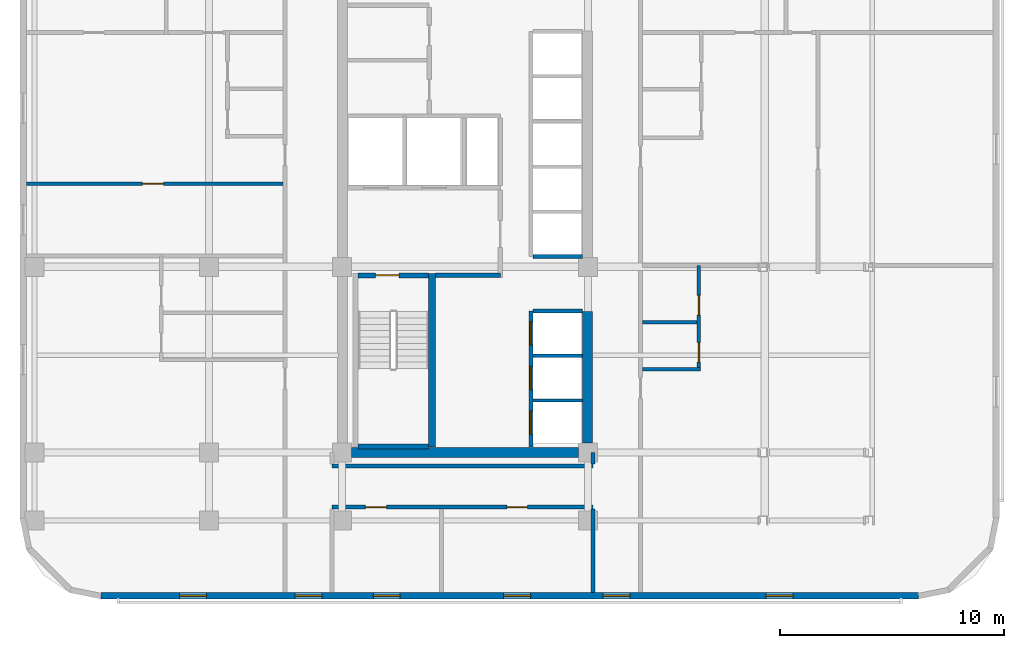
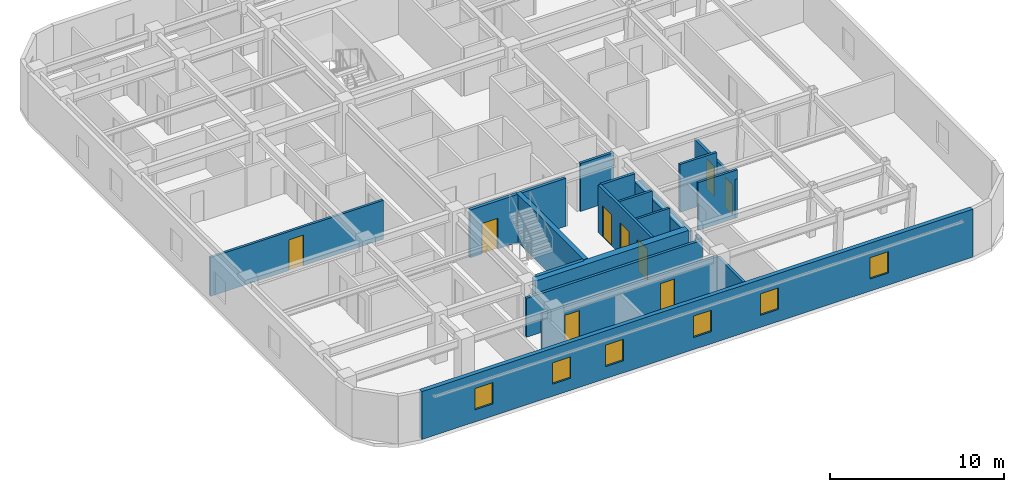
# One storey, part 3 of 11: 20 walls, 9 doors, 6 windows, 15 openings.
"""IFC4 building model written with IfcOpenShell, lengths in metres."""

import ifcopenshell
import ifcopenshell.guid

model = None  # the IFC model being written
_history = None  # IfcOwnerHistory: only IFC2X3 demands one
_inside = {}  # id of a spatial element -> (the spatial element, [elements in it])
_under = {}  # id of a project, library or spatial element -> (it, [spatial elements below it])
_declared = {}  # id of a project -> (the project, [libraries it declares])
_typed = {}  # id of a type object -> (the type object, [elements of that type])
_made_of = {}  # id of a material, layer set ... -> (it, [elements and type objects made of it])


def new_model(schema):
    """Start an empty IFC model of exactly this schema.

    Asked for "IFC4X3", IfcOpenShell would pick the latest addendum, in which some entities
    have other attributes; the version numbers below select the first issue.
    IFC2X3 requires an IfcOwnerHistory on every rooted entity: one is made here for all.
    """
    global model, _history
    if schema == "IFC4X3":
        model = ifcopenshell.file(schema_version=(4, 3, 0, 0))
    else:
        model = ifcopenshell.file(schema=schema)
    _inside.clear()
    _under.clear()
    _declared.clear()
    _typed.clear()
    _made_of.clear()
    _history = None
    if model.schema == "IFC2X3":
        org = make("IfcOrganization", Name="unknown")
        user = make(
            "IfcPersonAndOrganization",
            ThePerson=make("IfcPerson", FamilyName="unknown"),
            TheOrganization=org,
        )
        app = make(
            "IfcApplication",
            ApplicationDeveloper=org,
            Version="unknown",
            ApplicationFullName="unknown",
            ApplicationIdentifier="unknown",
        )
        _history = make(
            "IfcOwnerHistory",
            OwningUser=user,
            OwningApplication=app,
            ChangeAction="ADDED",
            CreationDate=0,
        )
    return model


def make(cls, **values):
    """One entity of the class cls with the attributes given. An attribute that is None is left unset."""
    return model.create_entity(
        cls, **{name: value for name, value in values.items() if value is not None}
    )


def rooted(cls, **values):
    """An entity with a GlobalId (a new one), such as an element, a storey or a relation."""
    return make(cls, GlobalId=ifcopenshell.guid.new(), OwnerHistory=_history, **values)


def si_unit(unit_type, name, prefix=None):
    """IfcSIUnit, for example si_unit("LENGTHUNIT", "METRE", prefix="MILLI")."""
    return make("IfcSIUnit", UnitType=unit_type, Prefix=prefix, Name=name)


def assignment(units):
    """IfcUnitAssignment: the units of a project."""
    return None if units is None else make("IfcUnitAssignment", Units=units)


def point(xyz):
    """IfcCartesianPoint."""
    return None if xyz is None else make("IfcCartesianPoint", Coordinates=xyz)


def direction(xyz):
    """IfcDirection."""
    return None if xyz is None else make("IfcDirection", DirectionRatios=xyz)


def frame(location, z_axis=None, x_axis=None):
    """IfcAxis2Placement3D, a coordinate frame: its origin and axes. An axis left out is left unset."""
    return make(
        "IfcAxis2Placement3D",
        Location=point(location),
        Axis=direction(z_axis),
        RefDirection=direction(x_axis),
    )


def frame_2d(location, x_axis=None):
    """IfcAxis2Placement2D, a coordinate frame in the plane: its origin and x axis."""
    return make(
        "IfcAxis2Placement2D", Location=point(location), RefDirection=direction(x_axis)
    )


def origin():
    """The frame at (0, 0, 0) with its axes left unset."""
    return frame((0.0, 0.0, 0.0))


def place(relative_to, where):
    """IfcLocalPlacement: puts the frame where relative to a parent placement (None: the world)."""
    return make(
        "IfcLocalPlacement", PlacementRelTo=relative_to, RelativePlacement=where
    )


def context(
    kind, dimensions, precision=None, world=None, true_north=None, identifier=None
):
    """IfcGeometricRepresentationContext, for example the 3D "Model" context."""
    return make(
        "IfcGeometricRepresentationContext",
        ContextIdentifier=identifier,
        ContextType=kind,
        CoordinateSpaceDimension=dimensions,
        Precision=precision,
        WorldCoordinateSystem=world,
        TrueNorth=true_north,
    )


def subcontext(parent, identifier, kind, view, scale=None):
    """IfcGeometricRepresentationSubContext, for example "Body" below "Model"."""
    return make(
        "IfcGeometricRepresentationSubContext",
        ContextIdentifier=identifier,
        ContextType=kind,
        ParentContext=parent,
        TargetScale=scale,
        TargetView=view,
    )


def project(units=None, contexts=None):
    """IfcProject with its units and contexts."""
    return rooted(
        "IfcProject",
        Name="project",
        RepresentationContexts=contexts,
        UnitsInContext=assignment(units),
    )


def spatial(cls, under=None, at=None, **own):
    """A site, building, storey or space (cls), placed at a placement, below another one or the project."""
    s = rooted(cls, ObjectPlacement=at, **own)
    if under is not None:
        _under.setdefault(under.id(), (under, []))[1].append(s)
    return s


def profile(cls, at=None, kind="AREA", **sizes):
    """A parametric profile (cls). Its sizes go by their IFC names, for example OverallWidth=200.0."""
    return make(cls, ProfileType=kind, Position=at, **sizes)


def rectangle(**sizes):
    """IfcRectangleProfileDef."""
    return profile("IfcRectangleProfileDef", **sizes)


def extrude(swept, where, along, depth):
    """IfcExtrudedAreaSolid: the profile swept, set in the frame where, extruded along a direction by depth."""
    return make(
        "IfcExtrudedAreaSolid",
        SweptArea=swept,
        Position=where,
        ExtrudedDirection=direction(along),
        Depth=depth,
    )


def shape(context_of_items, identifier, shape_type, items):
    """IfcShapeRepresentation: the items that make up one representation, for example the "Body"."""
    return make(
        "IfcShapeRepresentation",
        ContextOfItems=context_of_items,
        RepresentationIdentifier=identifier,
        RepresentationType=shape_type,
        Items=items,
    )


def material(Name=None, Category=None):
    """IfcMaterial."""
    return make("IfcMaterial", Name=Name, Category=Category)


def layer(
    of_material, thickness, ventilated=None, Name=None, Category=None, Priority=None
):
    """IfcMaterialLayer: one layer of a wall or slab, of a material (None: an air gap)."""
    return make(
        "IfcMaterialLayer",
        Material=of_material,
        LayerThickness=thickness,
        IsVentilated=ventilated,
        Name=Name,
        Category=Category,
        Priority=Priority,
    )


def layer_set(layers, Name=None):
    """IfcMaterialLayerSet."""
    return make("IfcMaterialLayerSet", MaterialLayers=layers, LayerSetName=Name)


def made_of(thing, what):
    """Note that an element or type object is made of a material, layer set ...; save() writes the relation."""
    if what is not None:
        _made_of.setdefault(what.id(), (what, []))[1].append(thing)
    return thing


def type_object(cls, material=None, **own):
    """A type object (cls), such as IfcWallType, which elements share."""
    return made_of(rooted(cls, **own), material)


def element(
    cls,
    number,
    at=None,
    inside=None,
    cuts=None,
    type_object=None,
    material=None,
    context=None,
    identifier="Body",
    shape_type=None,
    held_by="IfcProductDefinitionShape",
    body=None,
    shapes=None,
    **own,
):
    """One element of the class cls, such as IfcWall. Its Tag is "e" and its number.

    at: its placement. inside: the storey or other place that contains it. cuts: it is an
    opening in that element (IfcRelVoidsElement). A single representation is given by context,
    identifier, shape_type and body (its items); several are given by shapes. held_by: the class
    of the entity that holds the representations. save() writes the other relations.
    """
    e = rooted(cls, Tag="e%d" % number, ObjectPlacement=at, **own)
    if body is not None:
        shapes = [shape(context, identifier, shape_type, body)]
    if shapes is not None:
        e.Representation = make(held_by, Representations=shapes)
    if inside is not None:
        _inside.setdefault(inside.id(), (inside, []))[1].append(e)
    if cuts is not None:
        rooted(
            "IfcRelVoidsElement", RelatingBuildingElement=cuts, RelatedOpeningElement=e
        )
    if type_object is not None:
        _typed.setdefault(type_object.id(), (type_object, []))[1].append(e)
    return made_of(e, material)


def fill(opening, filler):
    """IfcRelFillsElement: the door or window that sits in an opening."""
    return rooted(
        "IfcRelFillsElement",
        RelatingOpeningElement=opening,
        RelatedBuildingElement=filler,
    )


def aggregate(whole, parts):
    """IfcRelAggregates: a whole, such as a stair, and the parts it consists of."""
    return rooted("IfcRelAggregates", RelatingObject=whole, RelatedObjects=parts)


def save(model, path):
    """Write the relations noted so far, then the file.

    IfcRelAggregates (storeys below a building ...), IfcRelContainedInSpatialStructure (elements
    in a storey), IfcRelDefinesByType, IfcRelAssociatesMaterial and IfcRelDeclares: one each for
    every whole, place, type object, material and project.
    """
    for whole, parts in _under.values():
        aggregate(whole, parts)
    for where, things in _inside.values():
        rooted(
            "IfcRelContainedInSpatialStructure",
            RelatedElements=things,
            RelatingStructure=where,
        )
    for kind, things in _typed.values():
        rooted("IfcRelDefinesByType", RelatedObjects=things, RelatingType=kind)
    for what, things in _made_of.values():
        rooted("IfcRelAssociatesMaterial", RelatedObjects=things, RelatingMaterial=what)
    for by, libraries in _declared.values():
        rooted("IfcRelDeclares", RelatingContext=by, RelatedDefinitions=libraries)
    model.write(path)


model = new_model("IFC4")

# Units and contexts
model_context = context("Model", 3, precision=1e-05, world=origin(), true_north=direction((0.0, 1.0)))
body_context = subcontext(model_context, "Body", "Model", "MODEL_VIEW")
ifc_project = project(units=[si_unit("LENGTHUNIT", "METRE"), si_unit("AREAUNIT", "SQUARE_METRE"), si_unit("VOLUMEUNIT", "CUBIC_METRE"), si_unit("PLANEANGLEUNIT", "RADIAN"), si_unit("MASSUNIT", "GRAM", prefix="KILO")], contexts=[model_context])

# Site, building, storey
site_placement = place(None, origin())
site = spatial("IfcSite", under=ifc_project, at=site_placement, CompositionType="ELEMENT")
building_placement = place(site_placement, origin())
building = spatial("IfcBuilding", under=site, at=building_placement, Name="Ochreholt Gables", CompositionType="ELEMENT")
storey_placement = place(building_placement, frame((0.0, 0.0, 87.60009765625)))
storey = spatial("IfcBuildingStorey", under=building, at=storey_placement, Name="L22", CompositionType="ELEMENT", Elevation=87.60009765625)

# Walls
ifc_material_1 = material(Name="Concrete 60 MPa", Category="concrete")
ifc_layer_1 = layer(ifc_material_1, 0.449951171875, Name="Concrete 60 MPa")
ifc_layer_set_1 = layer_set([ifc_layer_1], Name="Concrete 60 MPa")
wall_type_1 = type_object("IfcWallType", Name="WALL-CSW-450", PredefinedType="SHEAR", material=ifc_layer_set_1)
wall_1_placement = place(storey_placement, frame((35.175048828125, 9.675048828125, 0.0), z_axis=(0.0, 0.0, 1.0), x_axis=(0.0, 1.0, 0.0)))
element("IfcWall", 1, at=wall_1_placement, inside=storey, type_object=wall_type_1, Name="L22 Core South-East Shear Wall", PredefinedType="SHEAR", context=body_context, shape_type="SweptSolid", body=[
    extrude(rectangle(XDim=5.875, YDim=0.449951171875, at=frame_2d((2.9375, 0.0))), origin(), (0.0, 0.0, 1.0), 2.7490234375),
])
wall_2_placement = place(storey_placement, frame((24.625, 9.25, 0.0), z_axis=(0.0, 0.0, 1.0), x_axis=(1.0, 0.0, 0.0)))
element("IfcWall", 2, at=wall_2_placement, inside=storey, type_object=wall_type_1, Name="L22 Core South Shear Wall", PredefinedType="SHEAR", context=body_context, shape_type="SweptSolid", body=[
    extrude(rectangle(XDim=10.14990234375, YDim=0.449951171875, at=frame_2d((5.074951171875, 0.0))), origin(), (0.0, 0.0, 1.0), 3.35986328125),
])

# Wall, openings, windows
ifc_material_2 = material(Name="Precast concrete 40 MPa", Category="concrete")
ifc_layer_2 = layer(ifc_material_2, 0.280029296875, Name="Precast concrete 40 MPa")
ifc_layer_set_2 = layer_set([ifc_layer_2], Name="Precast concrete 40 MPa")
wall_type_2 = type_object("IfcWallType", Name="WALL-EXT-280", PredefinedType="SOLIDWALL", material=ifc_layer_set_2)
wall_3_placement = place(storey_placement, frame((13.419921875, 2.840087890625, 0.0), z_axis=(0.0, 0.0, 1.0), x_axis=(1.0, 0.0, 0.0)))
wall_3 = element("IfcWall", 3, at=wall_3_placement, inside=storey, type_object=wall_type_2, Name="L22 South Exterior Wall", PredefinedType="SOLIDWALL", context=body_context, shape_type="SweptSolid", body=[
    extrude(rectangle(XDim=36.56005859375, YDim=0.280029296875, at=frame_2d((18.280029296875, 0.0))), origin(), (0.0, 0.0, 1.0), 3.35986328125),
])
opening_1_placement = place(wall_3_placement, frame((3.514892578125, 0.0, 0.85009765625)))
opening_1 = element("IfcOpeningElement", 4, at=opening_1_placement, cuts=wall_3, Name="Opening WN-3", PredefinedType="OPENING", context=body_context, shape_type="SweptSolid", body=[
    extrude(rectangle(XDim=1.199951171875, YDim=1.5, at=frame_2d((0.60009765625, 0.75))), frame((0.0, 0.14990234375, 0.0), z_axis=(0.0, -1.0, 0.0), x_axis=(1.0, 0.0, 0.0)), (0.0, 0.0, 1.0), 0.300048828125),
])
opening_2_placement = place(wall_3_placement, frame((8.679931640625, 0.0, 0.85009765625)))
opening_2 = element("IfcOpeningElement", 5, at=opening_2_placement, cuts=wall_3, Name="Opening WN-3", PredefinedType="OPENING", context=body_context, shape_type="SweptSolid", body=[
    extrude(rectangle(XDim=1.199951171875, YDim=1.5, at=frame_2d((0.60009765625, 0.75))), frame((0.0, 0.14990234375, 0.0), z_axis=(0.0, -1.0, 0.0), x_axis=(1.0, 0.0, 0.0)), (0.0, 0.0, 1.0), 0.300048828125),
])
opening_3_placement = place(wall_3_placement, frame((12.1806640625, 0.0, 0.85009765625)))
opening_3 = element("IfcOpeningElement", 6, at=opening_3_placement, cuts=wall_3, Name="Opening WN-3", PredefinedType="OPENING", context=body_context, shape_type="SweptSolid", body=[
    extrude(rectangle(XDim=1.199951171875, YDim=1.5, at=frame_2d((0.60009765625, 0.75))), frame((0.0, 0.14990234375, 0.0), z_axis=(0.0, -1.0, 0.0), x_axis=(1.0, 0.0, 0.0)), (0.0, 0.0, 1.0), 0.300048828125),
])
opening_4_placement = place(wall_3_placement, frame((18.015625, 0.0, 0.85009765625)))
opening_4 = element("IfcOpeningElement", 7, at=opening_4_placement, cuts=wall_3, Name="Opening WN-3", PredefinedType="OPENING", context=body_context, shape_type="SweptSolid", body=[
    extrude(rectangle(XDim=1.199951171875, YDim=1.5, at=frame_2d((0.60009765625, 0.75))), frame((0.0, 0.14990234375, 0.0), z_axis=(0.0, -1.0, 0.0), x_axis=(1.0, 0.0, 0.0)), (0.0, 0.0, 1.0), 0.300048828125),
])
opening_5_placement = place(wall_3_placement, frame((22.465087890625, 0.0, 0.85009765625)))
opening_5 = element("IfcOpeningElement", 8, at=opening_5_placement, cuts=wall_3, Name="Opening WN-3", PredefinedType="OPENING", context=body_context, shape_type="SweptSolid", body=[
    extrude(rectangle(XDim=1.199951171875, YDim=1.5, at=frame_2d((0.60009765625, 0.75))), frame((0.0, 0.14990234375, 0.0), z_axis=(0.0, -1.0, 0.0), x_axis=(1.0, 0.0, 0.0)), (0.0, 0.0, 1.0), 0.300048828125),
])
opening_6_placement = place(wall_3_placement, frame((29.7451171875, 0.0, 0.85009765625)))
opening_6 = element("IfcOpeningElement", 9, at=opening_6_placement, cuts=wall_3, Name="Opening WN-3", PredefinedType="OPENING", context=body_context, shape_type="SweptSolid", body=[
    extrude(rectangle(XDim=1.199951171875, YDim=1.5, at=frame_2d((0.60009765625, 0.75))), frame((0.0, 0.14990234375, 0.0), z_axis=(0.0, -1.0, 0.0), x_axis=(1.0, 0.0, 0.0)), (0.0, 0.0, 1.0), 0.300048828125),
])
ifc_material_3 = material(Name="Triple-Glazed Thermally Broken Aluminium Window", Category="aluminium")
window_type = type_object("IfcWindowType", Name="WIN-RES-1200", PartitioningType="SINGLE_PANEL", PredefinedType="WINDOW", material=ifc_material_3)
window_1_placement = place(opening_1_placement, origin())
window_1 = element("IfcWindow", 10, at=window_1_placement, inside=storey, type_object=window_type, Name="L22 Window W-EXT-S-L22-1", OverallHeight=1.5, OverallWidth=1.199951171875, PartitioningType="SINGLE_PANEL", PredefinedType="WINDOW", context=body_context, shape_type="SweptSolid", body=[
    extrude(rectangle(XDim=1.199951171875, YDim=1.5, at=frame_2d((0.60009765625, 0.75))), frame((0.0, 0.030029296875, 0.0), z_axis=(0.0, -1.0, 0.0), x_axis=(1.0, 0.0, 0.0)), (0.0, 0.0, 1.0), 0.06005859375),
])
fill(opening_1, window_1)
window_2_placement = place(opening_2_placement, origin())
window_2 = element("IfcWindow", 11, at=window_2_placement, inside=storey, type_object=window_type, Name="L22 Window W-EXT-S-L22-2", OverallHeight=1.5, OverallWidth=1.199951171875, PartitioningType="SINGLE_PANEL", PredefinedType="WINDOW", context=body_context, shape_type="SweptSolid", body=[
    extrude(rectangle(XDim=1.199951171875, YDim=1.5, at=frame_2d((0.60009765625, 0.75))), frame((0.0, 0.030029296875, 0.0), z_axis=(0.0, -1.0, 0.0), x_axis=(1.0, 0.0, 0.0)), (0.0, 0.0, 1.0), 0.06005859375),
])
fill(opening_2, window_2)
window_3_placement = place(opening_3_placement, origin())
window_3 = element("IfcWindow", 12, at=window_3_placement, inside=storey, type_object=window_type, Name="L22 Window W-EXT-S-L22-3", OverallHeight=1.5, OverallWidth=1.199951171875, PartitioningType="SINGLE_PANEL", PredefinedType="WINDOW", context=body_context, shape_type="SweptSolid", body=[
    extrude(rectangle(XDim=1.199951171875, YDim=1.5, at=frame_2d((0.60009765625, 0.75))), frame((0.0, 0.030029296875, 0.0), z_axis=(0.0, -1.0, 0.0), x_axis=(1.0, 0.0, 0.0)), (0.0, 0.0, 1.0), 0.06005859375),
])
fill(opening_3, window_3)
window_4_placement = place(opening_4_placement, origin())
window_4 = element("IfcWindow", 13, at=window_4_placement, inside=storey, type_object=window_type, Name="L22 Window W-EXT-S-L22-4", OverallHeight=1.5, OverallWidth=1.199951171875, PartitioningType="SINGLE_PANEL", PredefinedType="WINDOW", context=body_context, shape_type="SweptSolid", body=[
    extrude(rectangle(XDim=1.199951171875, YDim=1.5, at=frame_2d((0.60009765625, 0.75))), frame((0.0, 0.030029296875, 0.0), z_axis=(0.0, -1.0, 0.0), x_axis=(1.0, 0.0, 0.0)), (0.0, 0.0, 1.0), 0.06005859375),
])
fill(opening_4, window_4)
window_5_placement = place(opening_5_placement, origin())
window_5 = element("IfcWindow", 14, at=window_5_placement, inside=storey, type_object=window_type, Name="L22 Window W-EXT-S-L22-5", OverallHeight=1.5, OverallWidth=1.199951171875, PartitioningType="SINGLE_PANEL", PredefinedType="WINDOW", context=body_context, shape_type="SweptSolid", body=[
    extrude(rectangle(XDim=1.199951171875, YDim=1.5, at=frame_2d((0.60009765625, 0.75))), frame((0.0, 0.030029296875, 0.0), z_axis=(0.0, -1.0, 0.0), x_axis=(1.0, 0.0, 0.0)), (0.0, 0.0, 1.0), 0.06005859375),
])
fill(opening_5, window_5)
window_6_placement = place(opening_6_placement, origin())
window_6 = element("IfcWindow", 15, at=window_6_placement, inside=storey, type_object=window_type, Name="L22 Window W-EXT-S-L22-6", OverallHeight=1.5, OverallWidth=1.199951171875, PartitioningType="SINGLE_PANEL", PredefinedType="WINDOW", context=body_context, shape_type="SweptSolid", body=[
    extrude(rectangle(XDim=1.199951171875, YDim=1.5, at=frame_2d((0.60009765625, 0.75))), frame((0.0, 0.030029296875, 0.0), z_axis=(0.0, -1.0, 0.0), x_axis=(1.0, 0.0, 0.0)), (0.0, 0.0, 1.0), 0.06005859375),
])
fill(opening_6, window_6)

# Wall
ifc_material_4 = material(Name="Concrete 40 MPa", Category="concrete")
ifc_layer_3 = layer(ifc_material_4, 0.199951171875, Name="Concrete 40 MPa")
ifc_layer_set_3 = layer_set([ifc_layer_3], Name="Concrete 40 MPa")
wall_type_3 = type_object("IfcWallType", Name="WALL-INT-CF200", PredefinedType="STANDARD", material=ifc_layer_set_3)
wall_4_placement = place(storey_placement, frame((28.3798828125, 17.169921875, 0.0), z_axis=(0.0, 0.0, 1.0), x_axis=(1.0, 0.0, 0.0)))
element("IfcWall", 16, at=wall_4_placement, inside=storey, type_object=wall_type_3, Name="L22 Interior Wall WI-FFS-L22", PredefinedType="STANDARD", context=body_context, shape_type="SweptSolid", body=[
    extrude(rectangle(XDim=2.900146484375, YDim=0.199951171875, at=frame_2d((1.4501953125, 0.0))), origin(), (0.0, 0.0, 1.0), 3.35986328125),
])

# Wall, openings, doors
ifc_material_5 = material(Name="Fire-Rated Gypsum Acoustic Partition", Category="gypsum")
ifc_layer_4 = layer(ifc_material_5, 0.179931640625, Name="Fire-Rated Gypsum Acoustic Partition")
ifc_layer_set_4 = layer_set([ifc_layer_4], Name="Fire-Rated Gypsum Acoustic Partition")
wall_type_4 = type_object("IfcWallType", Name="WALL-INT-CR180", PredefinedType="STANDARD", material=ifc_layer_set_4)
wall_5_placement = place(storey_placement, frame((23.75, 6.800048828125, 0.0), z_axis=(0.0, 0.0, 1.0), x_axis=(1.0, 0.0, 0.0)))
wall_5 = element("IfcWall", 17, at=wall_5_placement, inside=storey, type_object=wall_type_4, Name="L22 Interior Wall WI-C1S-L22", PredefinedType="STANDARD", context=body_context, shape_type="SweptSolid", body=[
    extrude(rectangle(XDim=11.669921875, YDim=0.179931640625, at=frame_2d((5.8349609375, 0.0))), origin(), (0.0, 0.0, 1.0), 2.73095703125),
])
opening_7_placement = place(wall_5_placement, frame((1.5, 0.0, 0.0)))
opening_7 = element("IfcOpeningElement", 18, at=opening_7_placement, cuts=wall_5, Name="Opening D-GN1", PredefinedType="OPENING", context=body_context, shape_type="SweptSolid", body=[
    extrude(rectangle(XDim=0.949951171875, YDim=2.14990234375, at=frame_2d((0.47509765625, 1.074951171875))), frame((0.0, 0.099853515625, 0.0), z_axis=(0.0, -1.0, 0.0), x_axis=(1.0, 0.0, 0.0)), (0.0, 0.0, 1.0), 0.199951171875),
])
opening_8_placement = place(wall_5_placement, frame((7.82568359375, 0.0, 0.0)))
opening_8 = element("IfcOpeningElement", 19, at=opening_8_placement, cuts=wall_5, Name="Opening D-UN1", PredefinedType="OPENING", context=body_context, shape_type="SweptSolid", body=[
    extrude(rectangle(XDim=0.919921875, YDim=2.14990234375, at=frame_2d((0.4599609375, 1.074951171875))), frame((0.0, 0.099853515625, 0.0), z_axis=(0.0, -1.0, 0.0), x_axis=(1.0, 0.0, 0.0)), (0.0, 0.0, 1.0), 0.199951171875),
])
ifc_material_6 = material(Name="Engineered Oak Timber", Category="wood")
door_type_1 = type_object("IfcDoorType", Name="DR-INT-GEN950", OperationType="NOTDEFINED", PredefinedType="DOOR", material=ifc_material_6)
door_1_placement = place(opening_7_placement, origin())
door_1 = element("IfcDoor", 20, at=door_1_placement, inside=storey, type_object=door_type_1, Name="L22 Door D-C1SS-L22", OperationType="SINGLE_SWING_LEFT", OverallHeight=2.14990234375, OverallWidth=0.949951171875, PredefinedType="DOOR", context=body_context, shape_type="SweptSolid", body=[
    extrude(rectangle(XDim=0.949951171875, YDim=2.14990234375, at=frame_2d((0.47509765625, 1.074951171875))), frame((0.0, 0.02490234375, 0.0), z_axis=(0.0, -1.0, 0.0), x_axis=(1.0, 0.0, 0.0)), (0.0, 0.0, 1.0), 0.050048828125),
])
fill(opening_7, door_1)
door_type_2 = type_object("IfcDoorType", Name="DR-INT-UNT920", OperationType="NOTDEFINED", PredefinedType="DOOR", material=ifc_material_6)
door_2_placement = place(opening_8_placement, origin())
door_2 = element("IfcDoor", 21, at=door_2_placement, inside=storey, type_object=door_type_2, Name="L22 Door D-U-L22S1-ENT", OperationType="SINGLE_SWING_LEFT", OverallHeight=2.14990234375, OverallWidth=0.919921875, PredefinedType="DOOR", context=body_context, shape_type="SweptSolid", body=[
    extrude(rectangle(XDim=0.919921875, YDim=2.14990234375, at=frame_2d((0.4599609375, 1.074951171875))), frame((0.0, 0.02490234375, 0.0), z_axis=(0.0, -1.0, 0.0), x_axis=(1.0, 0.0, 0.0)), (0.0, 0.0, 1.0), 0.050048828125),
])
fill(opening_8, door_2)

# Walls
wall_6_placement = place(storey_placement, frame((23.75, 8.64990234375, 0.0), z_axis=(0.0, 0.0, 1.0), x_axis=(1.0, 0.0, 0.0)))
element("IfcWall", 22, at=wall_6_placement, inside=storey, type_object=wall_type_4, Name="L22 Interior Wall WI-C1S2-L22", PredefinedType="STANDARD", context=body_context, shape_type="SweptSolid", body=[
    extrude(rectangle(XDim=11.669921875, YDim=0.179931640625, at=frame_2d((5.8349609375, 0.0))), origin(), (0.0, 0.0, 1.0), 2.73095703125),
])
wall_7_placement = place(storey_placement, frame((35.419921875, 8.739990234375, 0.0), z_axis=(0.0, 0.0, 1.0), x_axis=(0.0, 1.0, 0.0)))
element("IfcWall", 23, at=wall_7_placement, inside=storey, type_object=wall_type_4, Name="L22 Interior Wall WI-C1ESW2-L22", PredefinedType="STANDARD", context=body_context, shape_type="SweptSolid", body=[
    extrude(rectangle(XDim=0.510009765625, YDim=0.179931640625, at=frame_2d((0.2548828125, 0.0))), origin(), (0.0, 0.0, 1.0), 2.73095703125),
])
ifc_material_7 = material(Name="Double-Stud Acoustic Demising Wall", Category="gypsum")
ifc_layer_5 = layer(ifc_material_7, 0.179931640625, Name="Double-Stud Acoustic Demising Wall")
ifc_layer_set_5 = layer_set([ifc_layer_5], Name="Double-Stud Acoustic Demising Wall")
wall_type_5 = type_object("IfcWallType", Name="WALL-INT-DM180", PredefinedType="PARTITIONING", material=ifc_layer_set_5)
wall_8_placement = place(storey_placement, frame((35.419921875, 2.97998046875, 0.0), z_axis=(0.0, 0.0, 1.0), x_axis=(0.0, 1.0, 0.0)))
element("IfcWall", 24, at=wall_8_placement, inside=storey, type_object=wall_type_5, Name="L22 Interior Wall WI-C1ESW-L22", PredefinedType="PARTITIONING", context=body_context, shape_type="SweptSolid", body=[
    extrude(rectangle(XDim=3.72998046875, YDim=0.179931640625, at=frame_2d((1.864990234375, 0.0))), origin(), (0.0, 0.0, 1.0), 2.73095703125),
])
ifc_material_8 = material(Name="Moisture-Resistant Plumbing Chase Wall", Category="gypsum")
ifc_layer_6 = layer(ifc_material_8, 0.159912109375, Name="Moisture-Resistant Plumbing Chase Wall")
ifc_layer_set_6 = layer_set([ifc_layer_6], Name="Moisture-Resistant Plumbing Chase Wall")
wall_type_6 = type_object("IfcWallType", Name="WALL-INT-PL160", PredefinedType="PLUMBINGWALL", material=ifc_layer_set_6)
wall_9_placement = place(storey_placement, frame((37.639892578125, 12.969970703125, 0.0), z_axis=(0.0, 0.0, 1.0), x_axis=(1.0, 0.0, 0.0)))
element("IfcWall", 25, at=wall_9_placement, inside=storey, type_object=wall_type_6, Name="L22 Interior Wall WU-L22E1-WYS", PredefinedType="PLUMBINGWALL", context=body_context, shape_type="SweptSolid", body=[
    extrude(rectangle(XDim=2.606201171875, YDim=0.159912109375, at=frame_2d((1.30322265625, 0.0))), origin(), (0.0, 0.0, 1.0), 3.35986328125),
])

# Wall, openings, doors
wall_10_placement = place(storey_placement, frame((40.166015625, 12.8798828125, 0.0), z_axis=(0.0, 0.0, 1.0), x_axis=(0.0, 1.0, 0.0)))
wall_10 = element("IfcWall", 26, at=wall_10_placement, inside=storey, type_object=wall_type_6, Name="L22 Interior Wall WU-L22E1-WX", PredefinedType="PLUMBINGWALL", context=body_context, shape_type="SweptSolid", body=[
    extrude(rectangle(XDim=4.730224609375, YDim=0.159912109375, at=frame_2d((2.365234375, 0.0))), origin(), (0.0, 0.0, 1.0), 2.73095703125),
])
opening_9_placement = place(wall_10_placement, frame((0.419921875, 0.0, 0.0)))
opening_9 = element("IfcOpeningElement", 27, at=opening_9_placement, cuts=wall_10, Name="Opening D-BT1", PredefinedType="OPENING", context=body_context, shape_type="SweptSolid", body=[
    extrude(rectangle(XDim=0.860107421875, YDim=2.1201171875, at=frame_2d((0.43017578125, 1.06005859375))), frame((0.0, 0.08984375, 0.0), z_axis=(0.0, -1.0, 0.0), x_axis=(1.0, 0.0, 0.0)), (0.0, 0.0, 1.0), 0.179931640625),
])
opening_10_placement = place(wall_10_placement, frame((2.512939453125, 0.0, 0.0)))
opening_10 = element("IfcOpeningElement", 28, at=opening_10_placement, cuts=wall_10, Name="Opening D-GN2", PredefinedType="OPENING", context=body_context, shape_type="SweptSolid", body=[
    extrude(rectangle(XDim=0.8798828125, YDim=2.1201171875, at=frame_2d((0.43994140625, 1.06005859375))), frame((0.0, 0.08984375, 0.0), z_axis=(0.0, -1.0, 0.0), x_axis=(1.0, 0.0, 0.0)), (0.0, 0.0, 1.0), 0.179931640625),
])
door_type_3 = type_object("IfcDoorType", Name="DR-INT-BTH860", OperationType="NOTDEFINED", PredefinedType="DOOR", material=ifc_material_6)
door_3_placement = place(opening_9_placement, origin())
door_3 = element("IfcDoor", 29, at=door_3_placement, inside=storey, type_object=door_type_3, Name="L22 Door D-U-L22E1-BTH", OperationType="SINGLE_SWING_LEFT", OverallHeight=2.1201171875, OverallWidth=0.860107421875, PredefinedType="DOOR", context=body_context, shape_type="SweptSolid", body=[
    extrude(rectangle(XDim=0.860107421875, YDim=2.1201171875, at=frame_2d((0.43017578125, 1.06005859375))), frame((0.0, 0.02490234375, 0.0), z_axis=(0.0, -1.0, 0.0), x_axis=(1.0, 0.0, 0.0)), (0.0, 0.0, 1.0), 0.050048828125),
])
fill(opening_9, door_3)
door_type_4 = type_object("IfcDoorType", Name="DR-INT-GEN880", OperationType="NOTDEFINED", PredefinedType="DOOR", material=ifc_material_6)
door_4_placement = place(opening_10_placement, origin())
door_4 = element("IfcDoor", 30, at=door_4_placement, inside=storey, type_object=door_type_4, Name="L22 Door D-U-L22E1-KIT", OperationType="SINGLE_SWING_RIGHT", OverallHeight=2.1201171875, OverallWidth=0.8798828125, PredefinedType="DOOR", context=body_context, shape_type="SweptSolid", body=[
    extrude(rectangle(XDim=0.8798828125, YDim=2.1201171875, at=frame_2d((0.43994140625, 1.06005859375))), frame((0.0, 0.02490234375, 0.0), z_axis=(0.0, -1.0, 0.0), x_axis=(1.0, 0.0, 0.0)), (0.0, 0.0, 1.0), 0.050048828125),
])
fill(opening_10, door_4)

# Wall
wall_11_placement = place(storey_placement, frame((37.639892578125, 15.06298828125, 0.0), z_axis=(0.0, 0.0, 1.0), x_axis=(1.0, 0.0, 0.0)))
element("IfcWall", 31, at=wall_11_placement, inside=storey, type_object=wall_type_6, Name="L22 Interior Wall WU-L22E1-WM", PredefinedType="PLUMBINGWALL", context=body_context, shape_type="SweptSolid", body=[
    extrude(rectangle(XDim=2.446044921875, YDim=0.159912109375, at=frame_2d((1.22314453125, 0.0))), origin(), (0.0, 0.0, 1.0), 3.35986328125),
])

# Wall, opening, door
ifc_material_9 = material(Name="Gypsum Acoustic Stud Partition", Category="gypsum")
ifc_layer_7 = layer(ifc_material_9, 0.159912109375, Name="Gypsum Acoustic Stud Partition")
ifc_layer_set_7 = layer_set([ifc_layer_7], Name="Gypsum Acoustic Stud Partition")
wall_type_7 = type_object("IfcWallType", Name="WALL-INT-PT160", PredefinedType="PARTITIONING", material=ifc_layer_set_7)
wall_12_placement = place(storey_placement, frame((10.080078125, 21.261962890625, 0.0), z_axis=(0.0, 0.0, 1.0), x_axis=(1.0, 0.0, 0.0)))
wall_12 = element("IfcWall", 32, at=wall_12_placement, inside=storey, type_object=wall_type_7, Name="L22 Interior Wall WU-L22W2-DNW", PredefinedType="PARTITIONING", context=body_context, shape_type="SweptSolid", body=[
    extrude(rectangle(XDim=11.47998046875, YDim=0.159912109375, at=frame_2d((5.739990234375, 0.0))), origin(), (0.0, 0.0, 1.0), 2.73095703125),
])
opening_11_placement = place(wall_12_placement, frame((5.195068359375, 0.0, 0.0)))
opening_11 = element("IfcOpeningElement", 33, at=opening_11_placement, cuts=wall_12, Name="Opening D-GN1", PredefinedType="OPENING", context=body_context, shape_type="SweptSolid", body=[
    extrude(rectangle(XDim=0.949951171875, YDim=2.14990234375, at=frame_2d((0.47509765625, 1.074951171875))), frame((0.0, 0.08984375, 0.0), z_axis=(0.0, -1.0, 0.0), x_axis=(1.0, 0.0, 0.0)), (0.0, 0.0, 1.0), 0.179931640625),
])
door_5_placement = place(opening_11_placement, origin())
door_5 = element("IfcDoor", 34, at=door_5_placement, inside=storey, type_object=door_type_1, Name="L22 Door D-U-L22W2-DIN", OperationType="SINGLE_SWING_LEFT", OverallHeight=2.14990234375, OverallWidth=0.949951171875, PredefinedType="DOOR", context=body_context, shape_type="SweptSolid", body=[
    extrude(rectangle(XDim=0.949951171875, YDim=2.14990234375, at=frame_2d((0.47509765625, 1.074951171875))), frame((0.0, 0.02490234375, 0.0), z_axis=(0.0, -1.0, 0.0), x_axis=(1.0, 0.0, 0.0)), (0.0, 0.0, 1.0), 0.050048828125),
])
fill(opening_11, door_5)

# Walls
ifc_material_10 = material(Name="Gypsum Shaftliner and Steel Stud", Category="steel")
ifc_layer_8 = layer(ifc_material_10, 0.14990234375, Name="Gypsum Shaftliner and Steel Stud")
ifc_layer_set_8 = layer_set([ifc_layer_8], Name="Gypsum Shaftliner and Steel Stud")
wall_type_8 = type_object("IfcWallType", Name="WALL-INT-SH150", PredefinedType="STANDARD", material=ifc_layer_set_8)
for number, where, z_axis, x_axis, name in (
    (35, (32.739990234375, 11.570068359375, 0.0), (0.0, 0.0, 1.0), (1.0, 0.0, 0.0), "L22 Interior Wall WI-LFL-D1-L22"),
    (36, (32.739990234375, 13.570068359375, 0.0), (0.0, 0.0, 1.0), (1.0, 0.0, 0.0), "L22 Interior Wall WI-LFL-D2-L22"),
):
    element("IfcWall", number, at=place(storey_placement, frame(where, z_axis=z_axis, x_axis=x_axis)), inside=storey, type_object=wall_type_8, Name=name, PredefinedType="STANDARD", context=body_context, shape_type="SweptSolid", body=[
        extrude(rectangle(XDim=2.2099609375, YDim=0.14990234375, at=frame_2d((1.10498046875, 0.0))), origin(), (0.0, 0.0, 1.0), 3.35986328125),
    ])

# Wall, openings, doors
ifc_layer_9 = layer(ifc_material_10, 0.179931640625, Name="Gypsum Shaftliner and Steel Stud")
ifc_layer_set_9 = layer_set([ifc_layer_9], Name="Gypsum Shaftliner and Steel Stud")
wall_type_9 = type_object("IfcWallType", Name="WALL-INT-SH180", PredefinedType="STANDARD", material=ifc_layer_set_9)
wall_13_placement = place(storey_placement, frame((32.64990234375, 9.5, 0.0), z_axis=(0.0, 0.0, 1.0), x_axis=(0.0, 1.0, 0.0)))
wall_13 = element("IfcWall", 37, at=wall_13_placement, inside=storey, type_object=wall_type_9, Name="L22 Interior Wall WI-LFL-FR-L22", PredefinedType="STANDARD", context=body_context, shape_type="SweptSolid", body=[
    extrude(rectangle(XDim=6.080078125, YDim=0.179931640625, at=frame_2d((3.0400390625, 0.0))), origin(), (0.0, 0.0, 1.0), 3.35986328125),
])
opening_12_placement = place(wall_13_placement, frame((0.550048828125, 0.0, 0.0)))
opening_12 = element("IfcOpeningElement", 38, at=opening_12_placement, cuts=wall_13, Name="Opening LD-PX", PredefinedType="OPENING", context=body_context, shape_type="SweptSolid", body=[
    extrude(rectangle(XDim=1.050048828125, YDim=2.199951171875, at=frame_2d((0.52490234375, 1.10009765625))), frame((0.0, 0.099853515625, 0.0), z_axis=(0.0, -1.0, 0.0), x_axis=(1.0, 0.0, 0.0)), (0.0, 0.0, 1.0), 0.199951171875),
])
opening_13_placement = place(wall_13_placement, frame((2.550048828125, 0.0, 0.0)))
opening_13 = element("IfcOpeningElement", 39, at=opening_13_placement, cuts=wall_13, Name="Opening LD-PX", PredefinedType="OPENING", context=body_context, shape_type="SweptSolid", body=[
    extrude(rectangle(XDim=1.050048828125, YDim=2.199951171875, at=frame_2d((0.52490234375, 1.10009765625))), frame((0.0, 0.099853515625, 0.0), z_axis=(0.0, -1.0, 0.0), x_axis=(1.0, 0.0, 0.0)), (0.0, 0.0, 1.0), 0.199951171875),
])
opening_14_placement = place(wall_13_placement, frame((4.550048828125, 0.0, 0.0)))
opening_14 = element("IfcOpeningElement", 40, at=opening_14_placement, cuts=wall_13, Name="Opening LD-PX", PredefinedType="OPENING", context=body_context, shape_type="SweptSolid", body=[
    extrude(rectangle(XDim=1.050048828125, YDim=2.199951171875, at=frame_2d((0.52490234375, 1.10009765625))), frame((0.0, 0.099853515625, 0.0), z_axis=(0.0, -1.0, 0.0), x_axis=(1.0, 0.0, 0.0)), (0.0, 0.0, 1.0), 0.199951171875),
])
ifc_material_11 = material(Name="Stainless Steel", Category="steel")
door_type_5 = type_object("IfcDoorType", Name="DR-LFT-PX1050", OperationType="NOTDEFINED", PredefinedType="DOOR", material=ifc_material_11)
door_6_placement = place(opening_12_placement, origin())
door_6 = element("IfcDoor", 41, at=door_6_placement, inside=storey, type_object=door_type_5, Name="L22 Door LD-L1-L22", OperationType="SLIDING_TO_LEFT", OverallHeight=2.199951171875, OverallWidth=1.050048828125, PredefinedType="DOOR", context=body_context, shape_type="SweptSolid", body=[
    extrude(rectangle(XDim=1.050048828125, YDim=2.199951171875, at=frame_2d((0.52490234375, 1.10009765625))), frame((0.0, 0.02490234375, 0.0), z_axis=(0.0, -1.0, 0.0), x_axis=(1.0, 0.0, 0.0)), (0.0, 0.0, 1.0), 0.050048828125),
])
fill(opening_12, door_6)
door_7_placement = place(opening_13_placement, origin())
door_7 = element("IfcDoor", 42, at=door_7_placement, inside=storey, type_object=door_type_5, Name="L22 Door LD-L2-L22", OperationType="SLIDING_TO_LEFT", OverallHeight=2.199951171875, OverallWidth=1.050048828125, PredefinedType="DOOR", context=body_context, shape_type="SweptSolid", body=[
    extrude(rectangle(XDim=1.050048828125, YDim=2.199951171875, at=frame_2d((0.52490234375, 1.10009765625))), frame((0.0, 0.02490234375, 0.0), z_axis=(0.0, -1.0, 0.0), x_axis=(1.0, 0.0, 0.0)), (0.0, 0.0, 1.0), 0.050048828125),
])
fill(opening_13, door_7)
door_8_placement = place(opening_14_placement, origin())
door_8 = element("IfcDoor", 43, at=door_8_placement, inside=storey, type_object=door_type_5, Name="L22 Door LD-L3-L22", OperationType="SLIDING_TO_LEFT", OverallHeight=2.199951171875, OverallWidth=1.050048828125, PredefinedType="DOOR", context=body_context, shape_type="SweptSolid", body=[
    extrude(rectangle(XDim=1.050048828125, YDim=2.199951171875, at=frame_2d((0.52490234375, 1.10009765625))), frame((0.0, 0.02490234375, 0.0), z_axis=(0.0, -1.0, 0.0), x_axis=(1.0, 0.0, 0.0)), (0.0, 0.0, 1.0), 0.050048828125),
])
fill(opening_14, door_8)

# Walls
for number, where, z_axis, x_axis, name in (
    (44, (32.739990234375, 15.580078125, 0.0), (0.0, 0.0, 1.0), (1.0, 0.0, 0.0), "L22 Interior Wall WI-LFL-N-L22"),
    (45, (32.739990234375, 18.02001953125, 0.0), (0.0, 0.0, 1.0), (1.0, 0.0, 0.0), "L22 Interior Wall WI-LFHE-S-L22"),
):
    element("IfcWall", number, at=place(storey_placement, frame(where, z_axis=z_axis, x_axis=x_axis)), inside=storey, type_object=wall_type_9, Name=name, PredefinedType="STANDARD", context=body_context, shape_type="SweptSolid", body=[
        extrude(rectangle(XDim=2.2099609375, YDim=0.179931640625, at=frame_2d((1.10498046875, 0.0))), origin(), (0.0, 0.0, 1.0), 3.35986328125),
    ])
ifc_layer_10 = layer(ifc_material_1, 0.300048828125, Name="Concrete 60 MPa")
ifc_layer_set_10 = layer_set([ifc_layer_10], Name="Concrete 60 MPa")
wall_type_10 = type_object("IfcWallType", Name="WALL-SPN-300", PredefinedType="SHEAR", material=ifc_layer_set_10)
wall_14_placement = place(storey_placement, frame((28.22998046875, 9.5, 0.0), z_axis=(0.0, 0.0, 1.0), x_axis=(0.0, 1.0, 0.0)))
element("IfcWall", 46, at=wall_14_placement, inside=storey, type_object=wall_type_10, Name="L22 Core South Spine Shear Wall", PredefinedType="SHEAR", context=body_context, shape_type="SweptSolid", body=[
    extrude(rectangle(XDim=7.760009765625, YDim=0.300048828125, at=frame_2d((3.8798828125, 0.0))), origin(), (0.0, 0.0, 1.0), 3.35986328125),
])
ifc_material_12 = material(Name="Concrete 50 MPa", Category="concrete")
ifc_layer_11 = layer(ifc_material_12, 0.219970703125, Name="Concrete 50 MPa")
ifc_layer_set_11 = layer_set([ifc_layer_11], Name="Concrete 50 MPa")
wall_type_11 = type_object("IfcWallType", Name="WALL-STW-220", PredefinedType="SHEAR", material=ifc_layer_set_11)
wall_15_placement = place(storey_placement, frame((24.919921875, 9.510009765625, 0.0), z_axis=(0.0, 0.0, 1.0), x_axis=(1.0, 0.0, 0.0)))
element("IfcWall", 47, at=wall_15_placement, inside=storey, type_object=wall_type_11, Name="L22 Exit Stair 1 South Wall", PredefinedType="SHEAR", context=body_context, shape_type="SweptSolid", body=[
    extrude(rectangle(XDim=3.16015625, YDim=0.219970703125, at=frame_2d((1.580078125, 0.0))), origin(), (0.0, 0.0, 1.0), 3.35986328125),
])

# Wall, opening, door
wall_16_placement = place(storey_placement, frame((24.919921875, 17.169921875, 0.0), z_axis=(0.0, 0.0, 1.0), x_axis=(1.0, 0.0, 0.0)))
wall_16 = element("IfcWall", 48, at=wall_16_placement, inside=storey, type_object=wall_type_11, Name="L22 Exit Stair 1 North Wall", PredefinedType="SHEAR", context=body_context, shape_type="SweptSolid", body=[
    extrude(rectangle(XDim=3.16015625, YDim=0.219970703125, at=frame_2d((1.580078125, 0.0))), origin(), (0.0, 0.0, 1.0), 3.35986328125),
])
opening_15_placement = place(wall_16_placement, frame((0.780029296875, 0.0, 0.0)))
opening_15 = element("IfcOpeningElement", 49, at=opening_15_placement, cuts=wall_16, Name="Opening D-STC", PredefinedType="OPENING", context=body_context, shape_type="SweptSolid", body=[
    extrude(rectangle(XDim=1.050048828125, YDim=2.14990234375, at=frame_2d((0.52490234375, 1.074951171875))), frame((0.0, 0.119873046875, 0.0), z_axis=(0.0, -1.0, 0.0), x_axis=(1.0, 0.0, 0.0)), (0.0, 0.0, 1.0), 0.239990234375),
])
ifc_material_13 = material(Name="Hollow Metal Steel", Category="steel")
door_type_6 = type_object("IfcDoorType", Name="DR-INT-ST1050", OperationType="NOTDEFINED", PredefinedType="DOOR", material=ifc_material_13)
door_9_placement = place(opening_15_placement, frame((1.050048828125, 0.0, 0.0), z_axis=(0.0, 0.0, 1.0), x_axis=(-1.0, 0.0, 0.0)))
door_9 = element("IfcDoor", 50, at=door_9_placement, inside=storey, type_object=door_type_6, Name="L22 Door D-ST1-L22", OperationType="SINGLE_SWING_LEFT", OverallHeight=2.14990234375, OverallWidth=1.050048828125, PredefinedType="DOOR", context=body_context, shape_type="SweptSolid", body=[
    extrude(rectangle(XDim=1.050048828125, YDim=2.14990234375, at=frame_2d((0.52490234375, 1.074951171875))), frame((0.0, 0.02490234375, 0.0), z_axis=(0.0, -1.0, 0.0), x_axis=(1.0, 0.0, 0.0)), (0.0, 0.0, 1.0), 0.050048828125),
])
fill(opening_15, door_9)

save(model, "model.ifc")
